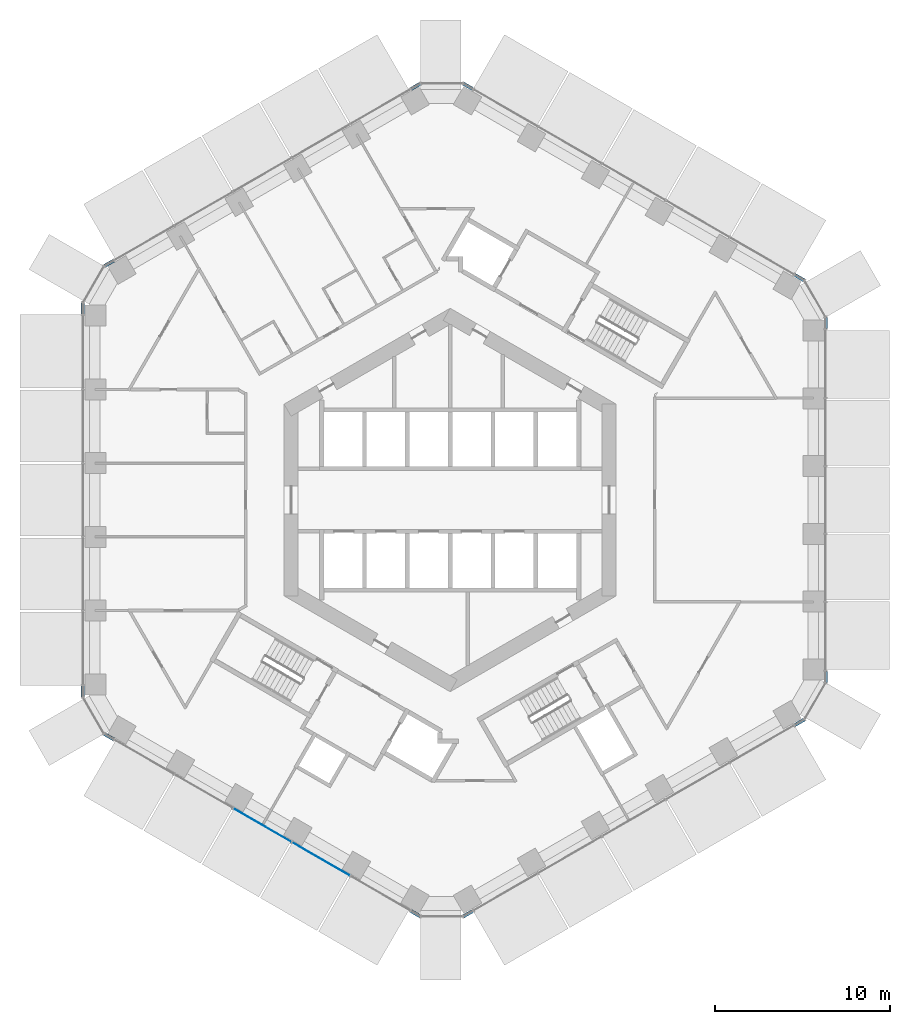
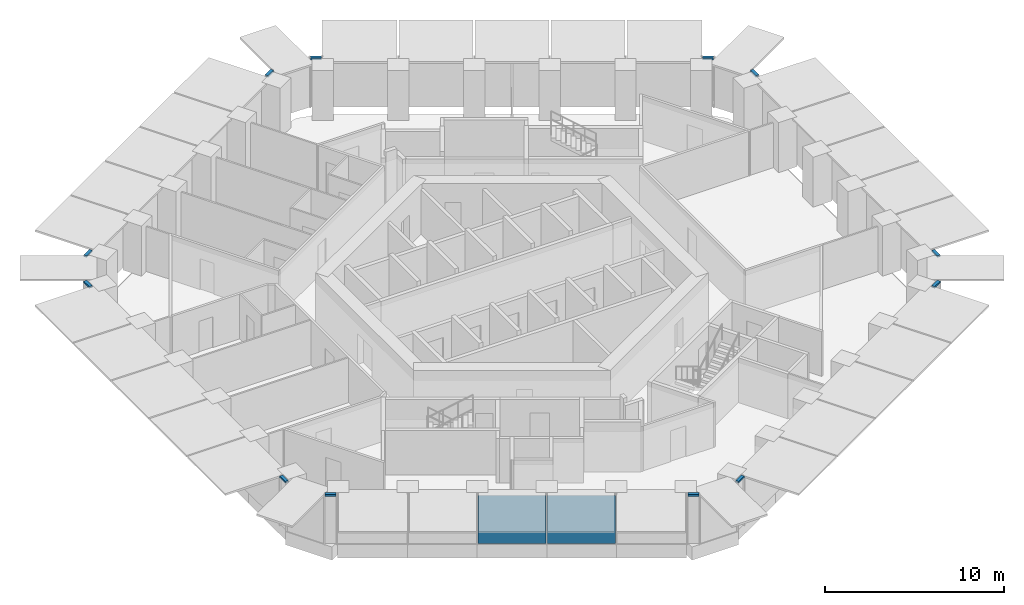
# One storey, part 7 of 19: 12 members, 2 plates, 7 elements without a shape of their own.
"""IFC4 building model written with IfcOpenShell, lengths in metres."""

from ifc_helpers import new_model, si_unit, direction, frame, origin, origin_2d, place, context, subcontext, project, spatial, rectangle, extrude, material, layer, layer_set, material_profile, profile_set, type_object, element, aggregate, save


model = new_model("IFC4")

# Units and contexts
model_context = context("Model", 3, precision=1e-05, world=origin(), true_north=direction((0.0, 1.0)))
body_context = subcontext(model_context, "Body", "Model", "MODEL_VIEW")
ifc_project = project(units=[si_unit("LENGTHUNIT", "METRE"), si_unit("AREAUNIT", "SQUARE_METRE"), si_unit("VOLUMEUNIT", "CUBIC_METRE"), si_unit("PLANEANGLEUNIT", "RADIAN"), si_unit("MASSUNIT", "GRAM", prefix="KILO")], contexts=[model_context])

# Site, building, storey
site_placement = place(None, origin())
site = spatial("IfcSite", under=ifc_project, at=site_placement, CompositionType="ELEMENT")
building_placement = place(site_placement, origin())
building = spatial("IfcBuilding", under=site, at=building_placement, Name="Ayvan Gate Tower", CompositionType="ELEMENT")
storey_placement = place(building_placement, frame((0.0, 0.0, 52.699951171875)))
storey = spatial("IfcBuildingStorey", under=building, at=storey_placement, Name="L13", CompositionType="ELEMENT", Elevation=52.699951171875)

# Curtain wall, members
ifc_material_1 = material(Name="Bronze anodised aluminium", Category="aluminium")
ifc_layer_1 = layer(ifc_material_1, 0.199951171875)
ifc_layer_set_1 = layer_set([ifc_layer_1], Name="Bronze anodised aluminium")
curtain_wall_type_1 = type_object("IfcCurtainWallType", Name="Stick curtain wall CW-6", PredefinedType="NOTDEFINED", material=ifc_layer_set_1)
curtain_wall_1_placement = place(storey_placement, origin())
curtain_wall_1 = element("IfcCurtainWall", 1, at=curtain_wall_1_placement, inside=storey, type_object=curtain_wall_type_1, Name="Stick curtain wall CW-6 L13", PredefinedType="NOTDEFINED")
ifc_material_profile = material_profile(ifc_material_1, rectangle(XDim=0.199951171875, YDim=0.1201171875, at=origin_2d()), Name="Stick curtain wall CW-6 transom 200 x 120")
ifc_profile_set = profile_set([ifc_material_profile], Name="Bronze anodised aluminium")
member_type = type_object("IfcMemberType", Name="Stick curtain wall CW-6 transom 200 x 120", PredefinedType="USERDEFINED", material=ifc_profile_set)
member_1_placement = place(storey_placement, frame((-19.23974609375, 13.7001953125, 3.340087890625), z_axis=(-0.866022959057, -0.500004234368, 0.0), x_axis=(0.500004234368, -0.866022959057, 0.0)))
member_1 = element("IfcMember", 2, at=member_1_placement, type_object=member_type, Name="CW-6 transom 1", ObjectType="TRANSOM", PredefinedType="USERDEFINED", context=body_context, shape_type="SweptSolid", body=[
    extrude(rectangle(XDim=0.199951171875, YDim=0.1201171875, at=origin_2d()), origin(), (0.0, 0.0, 1.0), 0.625),
])
member_2_placement = place(storey_placement, frame((-21.009765625, 11.25927734375, 3.340087890625), z_axis=(0.0, -1.0, 0.0), x_axis=(1.0, 0.0, 0.0)))
member_2 = element("IfcMember", 3, at=member_2_placement, type_object=member_type, Name="CW-6 transom 2", ObjectType="TRANSOM", PredefinedType="USERDEFINED", context=body_context, shape_type="SweptSolid", body=[
    extrude(rectangle(XDim=0.199951171875, YDim=0.1201171875, at=origin_2d()), origin(), (0.0, 0.0, 1.0), 0.625),
])
aggregate(curtain_wall_1, [member_1, member_2])

curtain_wall_2_placement = place(storey_placement, origin())
curtain_wall_2 = element("IfcCurtainWall", 4, at=curtain_wall_2_placement, inside=storey, type_object=curtain_wall_type_1, Name="Stick curtain wall CW-6 L13", PredefinedType="NOTDEFINED")
member_3_placement = place(storey_placement, frame((-21.009765625, -10.63427734375, 3.340087890625), z_axis=(0.0, -1.0, 0.0), x_axis=(1.0, 0.0, 0.0)))
member_3 = element("IfcMember", 5, at=member_3_placement, type_object=member_type, Name="CW-6 transom 1", ObjectType="TRANSOM", PredefinedType="USERDEFINED", context=body_context, shape_type="SweptSolid", body=[
    extrude(rectangle(XDim=0.199951171875, YDim=0.1201171875, at=origin_2d()), origin(), (0.0, 0.0, 1.0), 0.625),
])
member_4_placement = place(storey_placement, frame((-19.781005859375, -13.3876953125, 3.340087890625), z_axis=(0.866022959057, -0.500004234368, 0.0), x_axis=(0.500004234368, 0.866022959057, 0.0)))
member_4 = element("IfcMember", 6, at=member_4_placement, type_object=member_type, Name="CW-6 transom 2", ObjectType="TRANSOM", PredefinedType="USERDEFINED", context=body_context, shape_type="SweptSolid", body=[
    extrude(rectangle(XDim=0.199951171875, YDim=0.1201171875, at=origin_2d()), origin(), (0.0, 0.0, 1.0), 0.625),
])
aggregate(curtain_wall_2, [member_3, member_4])

curtain_wall_3_placement = place(storey_placement, origin())
curtain_wall_3 = element("IfcCurtainWall", 7, at=curtain_wall_3_placement, inside=storey, type_object=curtain_wall_type_1, Name="Stick curtain wall CW-6 L13", PredefinedType="NOTDEFINED")
member_5_placement = place(storey_placement, frame((-2.244873046875, -23.51220703125, 3.340087890625), z_axis=(0.866022959057, -0.500004234368, 0.0), x_axis=(0.500004234368, 0.866022959057, 0.0)))
member_5 = element("IfcMember", 8, at=member_5_placement, type_object=member_type, Name="CW-6 transom 1", ObjectType="TRANSOM", PredefinedType="USERDEFINED", context=body_context, shape_type="SweptSolid", body=[
    extrude(rectangle(XDim=0.199951171875, YDim=0.1201171875, at=origin_2d()), origin(), (0.0, 0.0, 1.0), 0.625),
])
member_6_placement = place(storey_placement, frame((0.754150390625, -23.82470703125, 3.340087890625), z_axis=(0.866022959057, 0.500004234368, 0.0), x_axis=(-0.500004234368, 0.866022959057, 0.0)))
member_6 = element("IfcMember", 9, at=member_6_placement, type_object=member_type, Name="CW-6 transom 2", ObjectType="TRANSOM", PredefinedType="USERDEFINED", context=body_context, shape_type="SweptSolid", body=[
    extrude(rectangle(XDim=0.199951171875, YDim=0.1201171875, at=origin_2d()), origin(), (0.0, 0.0, 1.0), 0.625),
])
aggregate(curtain_wall_3, [member_5, member_6])

curtain_wall_4_placement = place(storey_placement, origin())
curtain_wall_4 = element("IfcCurtainWall", 10, at=curtain_wall_4_placement, inside=storey, type_object=curtain_wall_type_1, Name="Stick curtain wall CW-6 L13", PredefinedType="NOTDEFINED")
member_7_placement = place(storey_placement, frame((19.71435546875, -12.8779296875, 3.340087890625), z_axis=(0.866022959057, 0.500004234368, 0.0), x_axis=(-0.500004234368, 0.866022959057, 0.0)))
member_7 = element("IfcMember", 11, at=member_7_placement, type_object=member_type, Name="CW-6 transom 1", ObjectType="TRANSOM", PredefinedType="USERDEFINED", context=body_context, shape_type="SweptSolid", body=[
    extrude(rectangle(XDim=0.199951171875, YDim=0.1201171875, at=origin_2d()), origin(), (0.0, 0.0, 1.0), 0.625),
])
member_8_placement = place(storey_placement, frame((21.484619140625, -10.436767578125, 3.340087890625), z_axis=(0.0, 1.0, 0.0), x_axis=(-1.0, 0.0, 0.0)))
member_8 = element("IfcMember", 12, at=member_8_placement, type_object=member_type, Name="CW-6 transom 2", ObjectType="TRANSOM", PredefinedType="USERDEFINED", context=body_context, shape_type="SweptSolid", body=[
    extrude(rectangle(XDim=0.199951171875, YDim=0.1201171875, at=origin_2d()), origin(), (0.0, 0.0, 1.0), 0.625),
])
aggregate(curtain_wall_4, [member_7, member_8])

curtain_wall_5_placement = place(storey_placement, origin())
curtain_wall_5 = element("IfcCurtainWall", 13, at=curtain_wall_5_placement, inside=storey, type_object=curtain_wall_type_1, Name="Stick curtain wall CW-6 L13", PredefinedType="NOTDEFINED")
member_9_placement = place(storey_placement, frame((21.484619140625, 9.811767578125, 3.340087890625), z_axis=(0.0, 1.0, 0.0), x_axis=(-1.0, 0.0, 0.0)))
member_9 = element("IfcMember", 14, at=member_9_placement, type_object=member_type, Name="CW-6 transom 1", ObjectType="TRANSOM", PredefinedType="USERDEFINED", context=body_context, shape_type="SweptSolid", body=[
    extrude(rectangle(XDim=0.199951171875, YDim=0.1201171875, at=origin_2d()), origin(), (0.0, 0.0, 1.0), 0.625),
])
member_10_placement = place(storey_placement, frame((20.255615234375, 12.5654296875, 3.340087890625), z_axis=(-0.866022959057, 0.500004234368, 0.0), x_axis=(-0.500004234368, -0.866022959057, 0.0)))
member_10 = element("IfcMember", 15, at=member_10_placement, type_object=member_type, Name="CW-6 transom 2", ObjectType="TRANSOM", PredefinedType="USERDEFINED", context=body_context, shape_type="SweptSolid", body=[
    extrude(rectangle(XDim=0.199951171875, YDim=0.1201171875, at=origin_2d()), origin(), (0.0, 0.0, 1.0), 0.625),
])
aggregate(curtain_wall_5, [member_9, member_10])

curtain_wall_6_placement = place(storey_placement, origin())
curtain_wall_6 = element("IfcCurtainWall", 16, at=curtain_wall_6_placement, inside=storey, type_object=curtain_wall_type_1, Name="Stick curtain wall CW-6 L13", PredefinedType="NOTDEFINED")
member_11_placement = place(storey_placement, frame((1.29541015625, 23.51220703125, 3.340087890625), z_axis=(-0.866022959057, 0.500004234368, 0.0), x_axis=(-0.500004234368, -0.866022959057, 0.0)))
member_11 = element("IfcMember", 17, at=member_11_placement, type_object=member_type, Name="CW-6 transom 1", ObjectType="TRANSOM", PredefinedType="USERDEFINED", context=body_context, shape_type="SweptSolid", body=[
    extrude(rectangle(XDim=0.199951171875, YDim=0.1201171875, at=origin_2d()), origin(), (0.0, 0.0, 1.0), 0.625),
])
member_12_placement = place(storey_placement, frame((-1.70361328125, 23.82470703125, 3.340087890625), z_axis=(-0.866022959057, -0.500004234368, 0.0), x_axis=(0.500004234368, -0.866022959057, 0.0)))
member_12 = element("IfcMember", 18, at=member_12_placement, type_object=member_type, Name="CW-6 transom 2", ObjectType="TRANSOM", PredefinedType="USERDEFINED", context=body_context, shape_type="SweptSolid", body=[
    extrude(rectangle(XDim=0.199951171875, YDim=0.1201171875, at=origin_2d()), origin(), (0.0, 0.0, 1.0), 0.625),
])
aggregate(curtain_wall_6, [member_11, member_12])

# Curtain wall, plates
ifc_layer_2 = layer(ifc_material_1, 0.199951171875)
ifc_layer_set_2 = layer_set([ifc_layer_2], Name="Bronze anodised aluminium")
curtain_wall_type_2 = type_object("IfcCurtainWallType", Name="Stick curtain wall CW-1", PredefinedType="NOTDEFINED", material=ifc_layer_set_2)
curtain_wall_7_placement = place(storey_placement, origin())
curtain_wall_7 = element("IfcCurtainWall", 19, at=curtain_wall_7_placement, inside=storey, type_object=curtain_wall_type_2, Name="Stick curtain wall CW-1 L13", PredefinedType="NOTDEFINED")
ifc_material_2 = material(Name="Clear low-iron laminated glass", Category="glass")
ifc_layer_3 = layer(ifc_material_2, 0.028076171875)
ifc_layer_set_3 = layer_set([ifc_layer_3], Name="Clear low-iron laminated glass")
plate_type = type_object("IfcPlateType", Name="Stick curtain wall CW-1 glass panel", PredefinedType="CURTAIN_PANEL", material=ifc_layer_set_3)
plate_1_placement = place(storey_placement, frame((-10.7421875, -18.606201171875, 0.0), z_axis=(0.0, 0.0, 1.0), x_axis=(0.866025403784, -0.5, 0.0)))
plate_1 = element("IfcPlate", 20, at=plate_1_placement, type_object=plate_type, Name="CW-1 glass panel 3", PredefinedType="CURTAIN_PANEL", context=body_context, shape_type="SweptSolid", body=[
    extrude(rectangle(XDim=3.81396484375, YDim=0.028076171875, at=origin_2d()), origin(), (0.0, 0.0, 1.0), 3.280029296875),
])
plate_2_placement = place(storey_placement, frame((-7.38720703125, -20.543212890625, 0.0), z_axis=(0.0, 0.0, 1.0), x_axis=(0.866025403784, -0.5, 0.0)))
plate_2 = element("IfcPlate", 21, at=plate_2_placement, type_object=plate_type, Name="CW-1 glass panel 4", PredefinedType="CURTAIN_PANEL", context=body_context, shape_type="SweptSolid", body=[
    extrude(rectangle(XDim=3.81396484375, YDim=0.028076171875, at=origin_2d()), origin(), (0.0, 0.0, 1.0), 3.280029296875),
])
aggregate(curtain_wall_7, [plate_1, plate_2])

save(model, "model.ifc")
